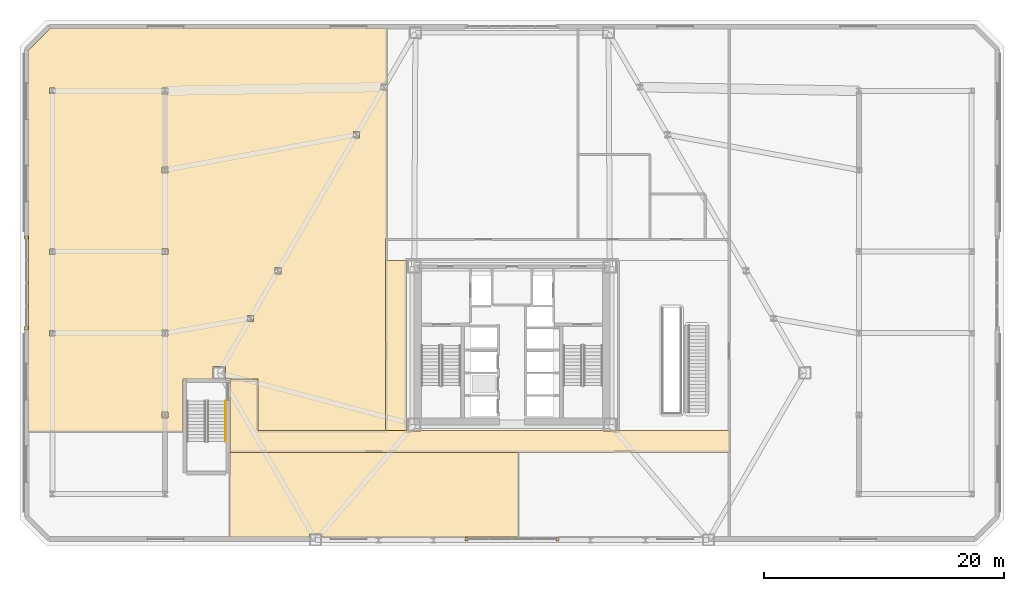
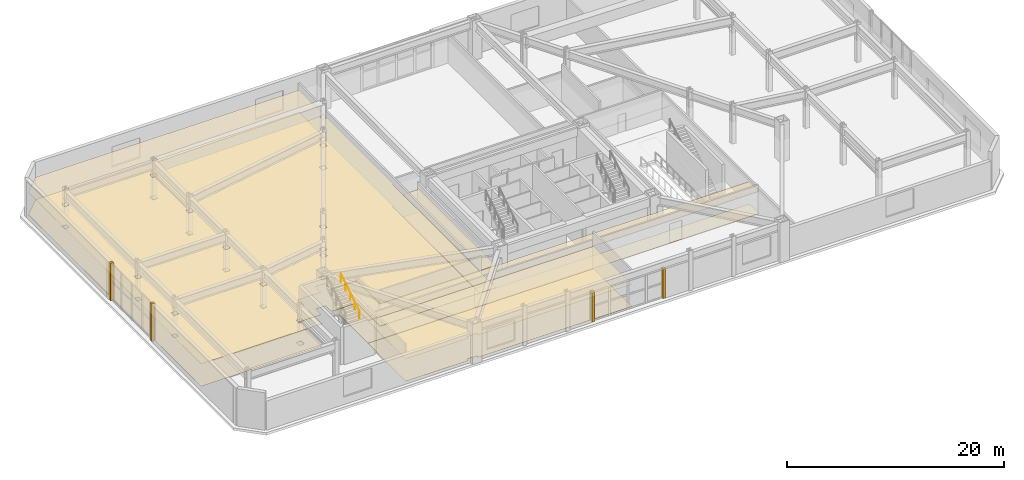
# One storey, part 18 of 21: 12 coverings, 1 railing.
"""IFC4 building model written with IfcOpenShell, lengths in metres."""

import ifcopenshell
import ifcopenshell.guid

model = None  # the IFC model being written
_history = None  # IfcOwnerHistory: only IFC2X3 demands one
_inside = {}  # id of a spatial element -> (the spatial element, [elements in it])
_under = {}  # id of a project, library or spatial element -> (it, [spatial elements below it])
_declared = {}  # id of a project -> (the project, [libraries it declares])
_typed = {}  # id of a type object -> (the type object, [elements of that type])
_made_of = {}  # id of a material, layer set ... -> (it, [elements and type objects made of it])


def new_model(schema):
    """Start an empty IFC model of exactly this schema.

    Asked for "IFC4X3", IfcOpenShell would pick the latest addendum, in which some entities
    have other attributes; the version numbers below select the first issue.
    IFC2X3 requires an IfcOwnerHistory on every rooted entity: one is made here for all.
    """
    global model, _history
    if schema == "IFC4X3":
        model = ifcopenshell.file(schema_version=(4, 3, 0, 0))
    else:
        model = ifcopenshell.file(schema=schema)
    _inside.clear()
    _under.clear()
    _declared.clear()
    _typed.clear()
    _made_of.clear()
    _history = None
    if model.schema == "IFC2X3":
        org = make("IfcOrganization", Name="unknown")
        user = make(
            "IfcPersonAndOrganization",
            ThePerson=make("IfcPerson", FamilyName="unknown"),
            TheOrganization=org,
        )
        app = make(
            "IfcApplication",
            ApplicationDeveloper=org,
            Version="unknown",
            ApplicationFullName="unknown",
            ApplicationIdentifier="unknown",
        )
        _history = make(
            "IfcOwnerHistory",
            OwningUser=user,
            OwningApplication=app,
            ChangeAction="ADDED",
            CreationDate=0,
        )
    return model


def make(cls, **values):
    """One entity of the class cls with the attributes given. An attribute that is None is left unset."""
    return model.create_entity(
        cls, **{name: value for name, value in values.items() if value is not None}
    )


def rooted(cls, **values):
    """An entity with a GlobalId (a new one), such as an element, a storey or a relation."""
    return make(cls, GlobalId=ifcopenshell.guid.new(), OwnerHistory=_history, **values)


def si_unit(unit_type, name, prefix=None):
    """IfcSIUnit, for example si_unit("LENGTHUNIT", "METRE", prefix="MILLI")."""
    return make("IfcSIUnit", UnitType=unit_type, Prefix=prefix, Name=name)


def assignment(units):
    """IfcUnitAssignment: the units of a project."""
    return None if units is None else make("IfcUnitAssignment", Units=units)


def point(xyz):
    """IfcCartesianPoint."""
    return None if xyz is None else make("IfcCartesianPoint", Coordinates=xyz)


def direction(xyz):
    """IfcDirection."""
    return None if xyz is None else make("IfcDirection", DirectionRatios=xyz)


def frame(location, z_axis=None, x_axis=None):
    """IfcAxis2Placement3D, a coordinate frame: its origin and axes. An axis left out is left unset."""
    return make(
        "IfcAxis2Placement3D",
        Location=point(location),
        Axis=direction(z_axis),
        RefDirection=direction(x_axis),
    )


def frame_2d(location, x_axis=None):
    """IfcAxis2Placement2D, a coordinate frame in the plane: its origin and x axis."""
    return make(
        "IfcAxis2Placement2D", Location=point(location), RefDirection=direction(x_axis)
    )


def origin():
    """The frame at (0, 0, 0) with its axes left unset."""
    return frame((0.0, 0.0, 0.0))


def origin_2d():
    """The frame at (0, 0) in the plane with its x axis left unset."""
    return frame_2d((0.0, 0.0))


def place(relative_to, where):
    """IfcLocalPlacement: puts the frame where relative to a parent placement (None: the world)."""
    return make(
        "IfcLocalPlacement", PlacementRelTo=relative_to, RelativePlacement=where
    )


def context(
    kind, dimensions, precision=None, world=None, true_north=None, identifier=None
):
    """IfcGeometricRepresentationContext, for example the 3D "Model" context."""
    return make(
        "IfcGeometricRepresentationContext",
        ContextIdentifier=identifier,
        ContextType=kind,
        CoordinateSpaceDimension=dimensions,
        Precision=precision,
        WorldCoordinateSystem=world,
        TrueNorth=true_north,
    )


def subcontext(parent, identifier, kind, view, scale=None):
    """IfcGeometricRepresentationSubContext, for example "Body" below "Model"."""
    return make(
        "IfcGeometricRepresentationSubContext",
        ContextIdentifier=identifier,
        ContextType=kind,
        ParentContext=parent,
        TargetScale=scale,
        TargetView=view,
    )


def project(units=None, contexts=None):
    """IfcProject with its units and contexts."""
    return rooted(
        "IfcProject",
        Name="project",
        RepresentationContexts=contexts,
        UnitsInContext=assignment(units),
    )


def spatial(cls, under=None, at=None, **own):
    """A site, building, storey or space (cls), placed at a placement, below another one or the project."""
    s = rooted(cls, ObjectPlacement=at, **own)
    if under is not None:
        _under.setdefault(under.id(), (under, []))[1].append(s)
    return s


def polyline(points):
    """IfcPolyline through the points."""
    return make("IfcPolyline", Points=[point(p) for p in points])


def profile(cls, at=None, kind="AREA", **sizes):
    """A parametric profile (cls). Its sizes go by their IFC names, for example OverallWidth=200.0."""
    return make(cls, ProfileType=kind, Position=at, **sizes)


def rectangle(**sizes):
    """IfcRectangleProfileDef."""
    return profile("IfcRectangleProfileDef", **sizes)


def circle(**sizes):
    """IfcCircleProfileDef."""
    return profile("IfcCircleProfileDef", **sizes)


def outline(outer, holes=None, kind="AREA"):
    """IfcArbitraryClosedProfileDef: a profile drawn as a closed curve; with holes, ...WithVoids."""
    if holes is None:
        return make("IfcArbitraryClosedProfileDef", ProfileType=kind, OuterCurve=outer)
    return make(
        "IfcArbitraryProfileDefWithVoids",
        ProfileType=kind,
        OuterCurve=outer,
        InnerCurves=holes,
    )


def extrude(swept, where, along, depth):
    """IfcExtrudedAreaSolid: the profile swept, set in the frame where, extruded along a direction by depth."""
    return make(
        "IfcExtrudedAreaSolid",
        SweptArea=swept,
        Position=where,
        ExtrudedDirection=direction(along),
        Depth=depth,
    )


def shape(context_of_items, identifier, shape_type, items):
    """IfcShapeRepresentation: the items that make up one representation, for example the "Body"."""
    return make(
        "IfcShapeRepresentation",
        ContextOfItems=context_of_items,
        RepresentationIdentifier=identifier,
        RepresentationType=shape_type,
        Items=items,
    )


def material(Name=None, Category=None):
    """IfcMaterial."""
    return make("IfcMaterial", Name=Name, Category=Category)


def layer(
    of_material, thickness, ventilated=None, Name=None, Category=None, Priority=None
):
    """IfcMaterialLayer: one layer of a wall or slab, of a material (None: an air gap)."""
    return make(
        "IfcMaterialLayer",
        Material=of_material,
        LayerThickness=thickness,
        IsVentilated=ventilated,
        Name=Name,
        Category=Category,
        Priority=Priority,
    )


def layer_set(layers, Name=None):
    """IfcMaterialLayerSet."""
    return make("IfcMaterialLayerSet", MaterialLayers=layers, LayerSetName=Name)


def made_of(thing, what):
    """Note that an element or type object is made of a material, layer set ...; save() writes the relation."""
    if what is not None:
        _made_of.setdefault(what.id(), (what, []))[1].append(thing)
    return thing


def type_object(cls, material=None, **own):
    """A type object (cls), such as IfcWallType, which elements share."""
    return made_of(rooted(cls, **own), material)


def element(
    cls,
    number,
    at=None,
    inside=None,
    cuts=None,
    type_object=None,
    material=None,
    context=None,
    identifier="Body",
    shape_type=None,
    held_by="IfcProductDefinitionShape",
    body=None,
    shapes=None,
    **own,
):
    """One element of the class cls, such as IfcWall. Its Tag is "e" and its number.

    at: its placement. inside: the storey or other place that contains it. cuts: it is an
    opening in that element (IfcRelVoidsElement). A single representation is given by context,
    identifier, shape_type and body (its items); several are given by shapes. held_by: the class
    of the entity that holds the representations. save() writes the other relations.
    """
    e = rooted(cls, Tag="e%d" % number, ObjectPlacement=at, **own)
    if body is not None:
        shapes = [shape(context, identifier, shape_type, body)]
    if shapes is not None:
        e.Representation = make(held_by, Representations=shapes)
    if inside is not None:
        _inside.setdefault(inside.id(), (inside, []))[1].append(e)
    if cuts is not None:
        rooted(
            "IfcRelVoidsElement", RelatingBuildingElement=cuts, RelatedOpeningElement=e
        )
    if type_object is not None:
        _typed.setdefault(type_object.id(), (type_object, []))[1].append(e)
    return made_of(e, material)


def aggregate(whole, parts):
    """IfcRelAggregates: a whole, such as a stair, and the parts it consists of."""
    return rooted("IfcRelAggregates", RelatingObject=whole, RelatedObjects=parts)


def save(model, path):
    """Write the relations noted so far, then the file.

    IfcRelAggregates (storeys below a building ...), IfcRelContainedInSpatialStructure (elements
    in a storey), IfcRelDefinesByType, IfcRelAssociatesMaterial and IfcRelDeclares: one each for
    every whole, place, type object, material and project.
    """
    for whole, parts in _under.values():
        aggregate(whole, parts)
    for where, things in _inside.values():
        rooted(
            "IfcRelContainedInSpatialStructure",
            RelatedElements=things,
            RelatingStructure=where,
        )
    for kind, things in _typed.values():
        rooted("IfcRelDefinesByType", RelatedObjects=things, RelatingType=kind)
    for what, things in _made_of.values():
        rooted("IfcRelAssociatesMaterial", RelatedObjects=things, RelatingMaterial=what)
    for by, libraries in _declared.values():
        rooted("IfcRelDeclares", RelatingContext=by, RelatedDefinitions=libraries)
    model.write(path)


model = new_model("IFC4")

# Units and contexts
model_context = context("Model", 3, precision=1e-05, world=origin(), true_north=direction((0.0, 1.0)))
body_context = subcontext(model_context, "Body", "Model", "MODEL_VIEW")
ifc_project = project(units=[si_unit("LENGTHUNIT", "METRE"), si_unit("AREAUNIT", "SQUARE_METRE"), si_unit("VOLUMEUNIT", "CUBIC_METRE"), si_unit("PLANEANGLEUNIT", "RADIAN"), si_unit("MASSUNIT", "GRAM", prefix="KILO")], contexts=[model_context])

# Site, building, storey
site_placement = place(None, origin())
site = spatial("IfcSite", under=ifc_project, at=site_placement, CompositionType="ELEMENT")
building_placement = place(site_placement, origin())
building = spatial("IfcBuilding", under=site, at=building_placement, Name="Oramaril Tower", CompositionType="ELEMENT")
storey_placement = place(building_placement, frame((0.0, 0.0, 5.39990234375)))
storey = spatial("IfcBuildingStorey", under=building, at=storey_placement, Name="L01", CompositionType="ELEMENT", Elevation=5.39990234375)

# Coverings
ifc_material_1 = material(Name="Mineral Fibre Acoustic Ceiling")
ifc_layer_1 = layer(ifc_material_1, 0.02001953125)
ifc_layer_set_1 = layer_set([ifc_layer_1], Name="CVT-CEIL")
covering_type_1 = type_object("IfcCoveringType", Name="CVT-CEIL", PredefinedType="CEILING", material=ifc_layer_set_1)
covering_1_placement = place(storey_placement, frame((0.0, 0.0, 2.522216796875)))
element("IfcCovering", 1, at=covering_1_placement, inside=storey, type_object=covering_type_1, Name="L01 Acoustic Suspended Ceiling 1", PredefinedType="CEILING", context=body_context, shape_type="SweptSolid", body=[
    extrude(outline(polyline([(28.780029296875, 10.47998046875), (28.780029296875, 10.429931640625), (29.919921875, 10.429931640625), (29.919921875, 10.47998046875), (45.080078125, 10.47998046875), (45.080078125, 10.429931640625), (46.219970703125, 10.429931640625), (46.219970703125, 10.47998046875), (55.679931640625, 10.47998046875), (55.679931640625, 8.669921875), (14.0, 8.669921875), (14.0, 14.760009765625), (16.330078125, 14.760009765625), (16.330078125, 10.47998046875), (28.780029296875, 10.47998046875)])), origin(), (0.0, 0.0, 1.0), 0.019775390625),
])
covering_2_placement = place(storey_placement, frame((0.0, 0.0, 2.522216796875)))
element("IfcCovering", 2, at=covering_2_placement, inside=storey, type_object=covering_type_1, Name="L01 Acoustic Suspended Ceiling 3", PredefinedType="CEILING", context=body_context, shape_type="SweptSolid", body=[
    extrude(outline(polyline([(28.699951171875, 10.5), (26.969970703125, 10.5), (26.969970703125, 24.64990234375), (28.699951171875, 24.64990234375), (28.699951171875, 10.5)])), origin(), (0.0, 0.0, 1.0), 0.019775390625),
])
covering_3_placement = place(storey_placement, frame((0.0, 0.0, 2.522216796875)))
element("IfcCovering", 3, at=covering_3_placement, inside=storey, type_object=covering_type_1, Name="L01 Acoustic Suspended Ceiling 5", PredefinedType="CEILING", context=body_context, shape_type="SweptSolid", body=[
    extrude(outline(polyline([(14.0, 6.800048828125), (14.0, 8.64990234375), (38.0419921875, 8.64990234375), (38.0419921875, 1.617919921875), (21.657958984375, 1.617919921875), (21.657958984375, 1.8798828125), (20.617919921875, 1.8798828125), (20.617919921875, 1.617919921875), (13.9580078125, 1.617919921875), (13.9580078125, 6.800048828125), (14.0, 6.800048828125)])), origin(), (0.0, 0.0, 1.0), 0.019775390625),
])
covering_4_placement = place(storey_placement, frame((0.0, 0.0, 2.522216796875)))
element("IfcCovering", 4, at=covering_4_placement, inside=storey, type_object=covering_type_1, Name="L01 Acoustic Suspended Ceiling 7", PredefinedType="CEILING", context=body_context, shape_type="SweptSolid", body=[
    extrude(outline(polyline([(14.0, 14.800048828125), (13.609619140625, 14.800048828125), (13.609619140625, 15.820068359375), (12.569580078125, 15.820068359375), (12.569580078125, 14.800048828125), (10.10009765625, 14.800048828125), (10.10009765625, 10.35791015625), (-2.781982421875, 10.35791015625), (-2.781982421875, 42.20263671875), (-1.002685546875, 43.98193359375), (27.092041015625, 43.98193359375), (27.092041015625, 26.5), (26.969970703125, 26.5), (26.968017578125, 26.5), (26.966064453125, 26.49951171875), (26.964111328125, 26.4990234375), (26.96240234375, 26.49853515625), (26.960693359375, 26.49755859375), (26.958984375, 26.49658203125), (26.957275390625, 26.49560546875), (26.955810546875, 26.494140625), (26.95458984375, 26.49267578125), (26.953369140625, 26.4912109375), (26.952392578125, 26.489501953125), (26.951416015625, 26.48779296875), (26.950927734375, 26.48583984375), (26.950439453125, 26.48388671875), (26.9501953125, 26.48193359375), (26.949951171875, 26.47998046875), (26.949951171875, 24.669921875), (26.9501953125, 24.66796875), (26.950439453125, 24.666015625), (26.950927734375, 24.664306640625), (26.951416015625, 24.662353515625), (26.952392578125, 24.66064453125), (26.95263671875, 24.659912109375), (26.952392578125, 24.659423828125), (26.951416015625, 24.65771484375), (26.950927734375, 24.65576171875), (26.950439453125, 24.65380859375), (26.9501953125, 24.652099609375), (26.949951171875, 24.64990234375), (26.949951171875, 10.5), (16.35009765625, 10.5), (16.35009765625, 14.760009765625), (16.349853515625, 14.761962890625), (16.349609375, 14.763916015625), (16.34912109375, 14.765869140625), (16.348388671875, 14.767578125), (16.34765625, 14.769287109375), (16.3466796875, 14.77099609375), (16.345458984375, 14.772705078125), (16.343994140625, 14.774169921875), (16.3427734375, 14.775390625), (16.341064453125, 14.776611328125), (16.33935546875, 14.777587890625), (16.337646484375, 14.778564453125), (16.335693359375, 14.779052734375), (16.333984375, 14.779541015625), (16.33203125, 14.77978515625), (16.330078125, 14.780029296875), (14.0, 14.780029296875), (14.0, 14.800048828125)]), holes=[polyline([(8.8525390625, 11.547607421875), (8.8525390625, 12.052490234375), (8.347412109375, 12.052490234375), (8.347412109375, 11.547607421875), (8.8525390625, 11.547607421875)]), polyline([(-0.56298828125, 18.363037109375), (-0.56298828125, 18.8369140625), (-1.037109375, 18.8369140625), (-1.037109375, 18.363037109375), (-0.56298828125, 18.363037109375)]), polyline([(8.8525390625, 18.347412109375), (8.8525390625, 18.8525390625), (8.347412109375, 18.8525390625), (8.347412109375, 18.347412109375), (8.8525390625, 18.347412109375)]), polyline([(15.960205078125, 20.0869140625), (15.455078125, 20.0869140625), (15.455078125, 19.581787109375), (15.960205078125, 19.581787109375), (15.960205078125, 20.0869140625)]), polyline([(18.250732421875, 23.549560546875), (18.250732421875, 24.054443359375), (17.745849609375, 24.054443359375), (17.745849609375, 23.549560546875), (18.250732421875, 23.549560546875)]), polyline([(-0.56298828125, 25.1630859375), (-0.56298828125, 25.636962890625), (-1.037109375, 25.636962890625), (-1.037109375, 25.1630859375), (-0.56298828125, 25.1630859375)]), polyline([(8.8525390625, 25.652587890625), (8.347412109375, 25.652587890625), (8.347412109375, 25.1474609375), (8.8525390625, 25.1474609375), (8.8525390625, 25.652587890625)]), polyline([(8.8525390625, 31.947509765625), (8.8525390625, 32.452392578125), (8.347412109375, 32.452392578125), (8.347412109375, 31.947509765625), (8.8525390625, 31.947509765625)]), polyline([(24.795654296875, 34.885498046875), (24.795654296875, 35.390380859375), (24.290771484375, 35.390380859375), (24.290771484375, 34.885498046875), (24.795654296875, 34.885498046875)]), polyline([(8.8525390625, 39.052490234375), (8.347412109375, 39.052490234375), (8.347412109375, 38.547607421875), (8.8525390625, 38.547607421875), (8.8525390625, 39.052490234375)]), polyline([(-0.56298828125, 38.56298828125), (-0.56298828125, 39.037109375), (-1.037109375, 39.037109375), (-1.037109375, 38.56298828125), (-0.56298828125, 38.56298828125)]), polyline([(27.08642578125, 38.85302734375), (27.08642578125, 39.358154296875), (26.581298828125, 39.358154296875), (26.581298828125, 38.85302734375), (27.08642578125, 38.85302734375)])]), origin(), (0.0, 0.0, 1.0), 0.019775390625),
])
ifc_material_2 = material(Name="Warm Cream Limestone", Category="masonry")
ifc_layer_2 = layer(ifc_material_2, 0.050048828125)
ifc_layer_set_2 = layer_set([ifc_layer_2], Name="CVT-CLD")
covering_type_2 = type_object("IfcCoveringType", Name="CVT-CLD", PredefinedType="CLADDING", material=ifc_layer_set_2)
for number, where, z_axis, x_axis, name in (
    (5, (33.719970703125, 1.449951171875, 0.0), (0.0, 0.0, 1.0), (1.0, 0.0, 0.0), "L01 Curtain Wall Limestone Jamb Closure"),
    (6, (41.280029296875, 1.449951171875, 0.0), (0.0, 0.0, 1.0), (1.0, 0.0, 0.0), "L01 Curtain Wall Limestone Jamb Closure"),
):
    element("IfcCovering", number, at=place(storey_placement, frame(where, z_axis=z_axis, x_axis=x_axis)), inside=storey, type_object=covering_type_2, Name=name, PredefinedType="CLADDING", context=body_context, shape_type="SweptSolid", body=[
        extrude(rectangle(XDim=0.260009765625, YDim=0.340087890625, at=origin_2d()), origin(), (0.0, 0.0, 1.0), 3.35400390625),
    ])
for number, where, z_axis, x_axis, name in (
    (7, (-2.949951171875, 26.580078125, 0.0), (0.0, 0.0, 1.0), (0.0, -1.0, 0.0), "L01 Curtain Wall Limestone Jamb Closure"),
    (8, (-2.949951171875, 19.02001953125, 0.0), (0.0, 0.0, 1.0), (0.0, -1.0, 0.0), "L01 Curtain Wall Limestone Jamb Closure"),
):
    element("IfcCovering", number, at=place(storey_placement, frame(where, z_axis=z_axis, x_axis=x_axis)), inside=storey, type_object=covering_type_2, Name=name, PredefinedType="CLADDING", context=body_context, shape_type="SweptSolid", body=[
        extrude(rectangle(XDim=0.260009765625, YDim=0.340087890625, at=origin_2d()), origin(), (0.0, 0.0, 1.0), 4.219970703125),
    ])
ifc_material_3 = material(Name="Honed Quartzite Stone Flooring", Category="masonry")
ifc_layer_3 = layer(ifc_material_3, 0.02490234375)
ifc_layer_set_3 = layer_set([ifc_layer_3], Name="CVT-FLR")
covering_type_3 = type_object("IfcCoveringType", Name="CVT-FLR", PredefinedType="FLOORING", material=ifc_layer_set_3)
covering_5_placement = place(storey_placement, origin())
element("IfcCovering", 9, at=covering_5_placement, inside=storey, type_object=covering_type_3, Name="L01 Honed Stone Floor Finish 1", PredefinedType="FLOORING", context=body_context, shape_type="SweptSolid", body=[
    extrude(outline(polyline([(28.780029296875, 10.47998046875), (28.780029296875, 10.429931640625), (29.919921875, 10.429931640625), (29.919921875, 10.47998046875), (45.080078125, 10.47998046875), (45.080078125, 10.429931640625), (46.219970703125, 10.429931640625), (46.219970703125, 10.47998046875), (55.679931640625, 10.47998046875), (55.679931640625, 8.669921875), (14.0, 8.669921875), (14.0, 14.760009765625), (16.330078125, 14.760009765625), (16.330078125, 10.47998046875), (28.780029296875, 10.47998046875)])), origin(), (0.0, 0.0, 1.0), 0.025146484375),
])
covering_6_placement = place(storey_placement, origin())
element("IfcCovering", 10, at=covering_6_placement, inside=storey, type_object=covering_type_3, Name="L01 Honed Stone Floor Finish 3", PredefinedType="FLOORING", context=body_context, shape_type="SweptSolid", body=[
    extrude(outline(polyline([(28.699951171875, 10.5), (26.969970703125, 10.5), (26.969970703125, 24.64990234375), (28.699951171875, 24.64990234375), (28.699951171875, 10.5)])), origin(), (0.0, 0.0, 1.0), 0.025146484375),
])
covering_7_placement = place(storey_placement, origin())
element("IfcCovering", 11, at=covering_7_placement, inside=storey, type_object=covering_type_3, Name="L01 Honed Stone Floor Finish 5", PredefinedType="FLOORING", context=body_context, shape_type="SweptSolid", body=[
    extrude(outline(polyline([(14.0, 6.800048828125), (14.0, 8.64990234375), (38.0419921875, 8.64990234375), (38.0419921875, 1.617919921875), (21.657958984375, 1.617919921875), (21.657958984375, 1.8798828125), (20.617919921875, 1.8798828125), (20.617919921875, 1.617919921875), (13.9580078125, 1.617919921875), (13.9580078125, 6.800048828125), (14.0, 6.800048828125)])), origin(), (0.0, 0.0, 1.0), 0.025146484375),
])
covering_8_placement = place(storey_placement, origin())
element("IfcCovering", 12, at=covering_8_placement, inside=storey, type_object=covering_type_3, Name="L01 Honed Stone Floor Finish 7", PredefinedType="FLOORING", context=body_context, shape_type="SweptSolid", body=[
    extrude(outline(polyline([(14.0, 14.800048828125), (13.609619140625, 14.800048828125), (13.609619140625, 15.820068359375), (12.569580078125, 15.820068359375), (12.569580078125, 14.800048828125), (10.10009765625, 14.800048828125), (10.10009765625, 10.35791015625), (-2.781982421875, 10.35791015625), (-2.781982421875, 42.20263671875), (-1.002685546875, 43.98193359375), (27.092041015625, 43.98193359375), (27.092041015625, 26.5), (26.969970703125, 26.5), (26.968017578125, 26.5), (26.966064453125, 26.49951171875), (26.964111328125, 26.4990234375), (26.96240234375, 26.49853515625), (26.960693359375, 26.49755859375), (26.958984375, 26.49658203125), (26.957275390625, 26.49560546875), (26.955810546875, 26.494140625), (26.95458984375, 26.49267578125), (26.953369140625, 26.4912109375), (26.952392578125, 26.489501953125), (26.951416015625, 26.48779296875), (26.950927734375, 26.48583984375), (26.950439453125, 26.48388671875), (26.9501953125, 26.48193359375), (26.949951171875, 26.47998046875), (26.949951171875, 24.669921875), (26.9501953125, 24.66796875), (26.950439453125, 24.666015625), (26.950927734375, 24.664306640625), (26.951416015625, 24.662353515625), (26.952392578125, 24.66064453125), (26.95263671875, 24.659912109375), (26.952392578125, 24.659423828125), (26.951416015625, 24.65771484375), (26.950927734375, 24.65576171875), (26.950439453125, 24.65380859375), (26.9501953125, 24.652099609375), (26.949951171875, 24.64990234375), (26.949951171875, 10.5), (16.35009765625, 10.5), (16.35009765625, 14.760009765625), (16.349853515625, 14.761962890625), (16.349609375, 14.763916015625), (16.34912109375, 14.765869140625), (16.348388671875, 14.767578125), (16.34765625, 14.769287109375), (16.3466796875, 14.77099609375), (16.345458984375, 14.772705078125), (16.343994140625, 14.774169921875), (16.3427734375, 14.775390625), (16.341064453125, 14.776611328125), (16.33935546875, 14.777587890625), (16.337646484375, 14.778564453125), (16.335693359375, 14.779052734375), (16.333984375, 14.779541015625), (16.33203125, 14.77978515625), (16.330078125, 14.780029296875), (14.0, 14.780029296875), (14.0, 14.800048828125)]), holes=[polyline([(8.8525390625, 11.547607421875), (8.8525390625, 12.052490234375), (8.347412109375, 12.052490234375), (8.347412109375, 11.547607421875), (8.8525390625, 11.547607421875)]), polyline([(-0.56298828125, 18.363037109375), (-0.56298828125, 18.8369140625), (-1.037109375, 18.8369140625), (-1.037109375, 18.363037109375), (-0.56298828125, 18.363037109375)]), polyline([(8.8525390625, 18.347412109375), (8.8525390625, 18.8525390625), (8.347412109375, 18.8525390625), (8.347412109375, 18.347412109375), (8.8525390625, 18.347412109375)]), polyline([(15.960205078125, 20.0869140625), (15.455078125, 20.0869140625), (15.455078125, 19.581787109375), (15.960205078125, 19.581787109375), (15.960205078125, 20.0869140625)]), polyline([(18.250732421875, 23.549560546875), (18.250732421875, 24.054443359375), (17.745849609375, 24.054443359375), (17.745849609375, 23.549560546875), (18.250732421875, 23.549560546875)]), polyline([(-0.56298828125, 25.1630859375), (-0.56298828125, 25.636962890625), (-1.037109375, 25.636962890625), (-1.037109375, 25.1630859375), (-0.56298828125, 25.1630859375)]), polyline([(8.8525390625, 25.652587890625), (8.347412109375, 25.652587890625), (8.347412109375, 25.1474609375), (8.8525390625, 25.1474609375), (8.8525390625, 25.652587890625)]), polyline([(8.8525390625, 31.947509765625), (8.8525390625, 32.452392578125), (8.347412109375, 32.452392578125), (8.347412109375, 31.947509765625), (8.8525390625, 31.947509765625)]), polyline([(24.795654296875, 34.885498046875), (24.795654296875, 35.390380859375), (24.290771484375, 35.390380859375), (24.290771484375, 34.885498046875), (24.795654296875, 34.885498046875)]), polyline([(8.8525390625, 39.052490234375), (8.347412109375, 39.052490234375), (8.347412109375, 38.547607421875), (8.8525390625, 38.547607421875), (8.8525390625, 39.052490234375)]), polyline([(-0.56298828125, 38.56298828125), (-0.56298828125, 39.037109375), (-1.037109375, 39.037109375), (-1.037109375, 38.56298828125), (-0.56298828125, 38.56298828125)]), polyline([(27.08642578125, 38.85302734375), (27.08642578125, 39.358154296875), (26.581298828125, 39.358154296875), (26.581298828125, 38.85302734375), (27.08642578125, 38.85302734375)])]), origin(), (0.0, 0.0, 1.0), 0.025146484375),
])

# Railing
ifc_material_4 = material(Name="Stainless Steel 316L", Category="steel")
railing_type = type_object("IfcRailingType", Name="RLT-HND", PredefinedType="HANDRAIL", material=ifc_material_4)
railing_placement = place(storey_placement, frame((13.6201171875, 9.580078125, 2.423095703125)))
element("IfcRailing", 13, at=railing_placement, inside=storey, type_object=railing_type, Name="L01 ST-3 stair handrail 2", PredefinedType="HANDRAIL", context=body_context, shape_type="SweptSolid", body=[
    extrude(circle(Radius=0.02392578125, at=origin_2d()), frame((0.0, 0.0, 0.8759765625), z_axis=(0.0, 0.850606129759, 0.525803396734), x_axis=(-1.0, 0.0, 0.0)), (0.0, 0.0, 1.0), 3.949951171875),
    extrude(circle(Radius=0.02099609375, at=origin_2d()), origin(), (0.0, 0.0, 1.0), 0.851806640625),
    extrude(circle(Radius=0.02099609375, at=origin_2d()), frame((0.0, 0.83984375, 0.519287109375)), (0.0, 0.0, 1.0), 0.851806640625),
    extrude(circle(Radius=0.02099609375, at=origin_2d()), frame((0.0, 1.679931640625, 1.03857421875)), (0.0, 0.0, 1.0), 0.851806640625),
    extrude(circle(Radius=0.02099609375, at=origin_2d()), frame((0.0, 2.52001953125, 1.5576171875)), (0.0, 0.0, 1.0), 0.851806640625),
    extrude(circle(Radius=0.02099609375, at=origin_2d()), frame((0.0, 3.35986328125, 2.076904296875)), (0.0, 0.0, 1.0), 0.851806640625),
])

save(model, "model.ifc")
